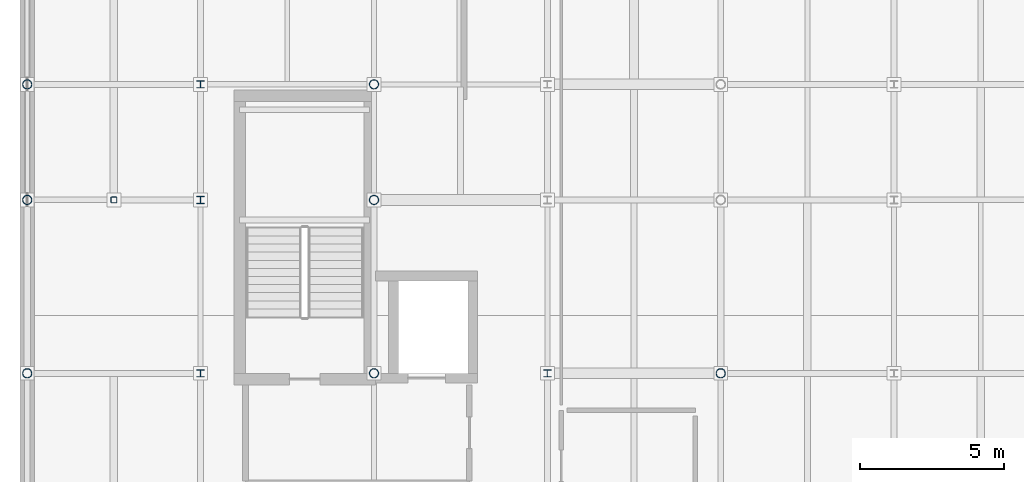
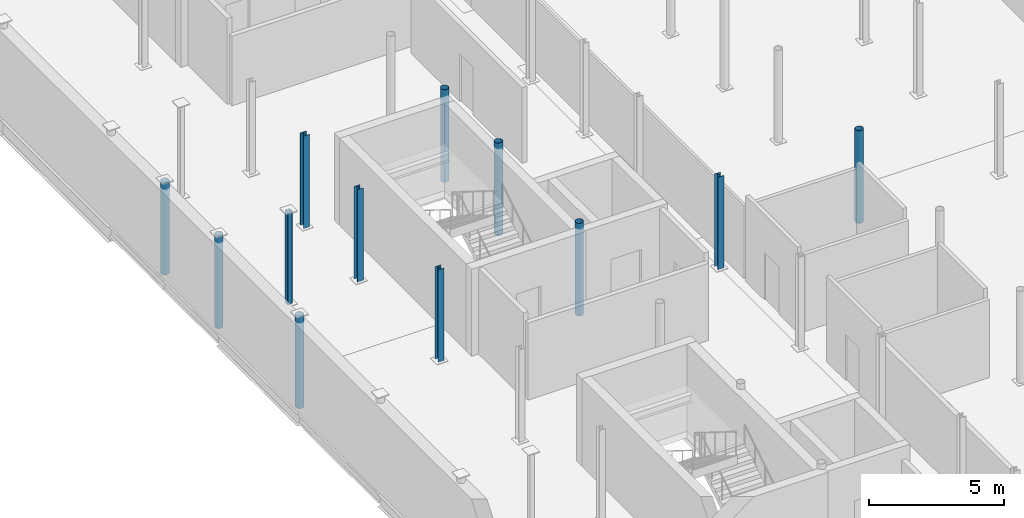
# One storey, part 5 of 30: 12 columns.
"""IFC4 building model written with IfcOpenShell, lengths in metres."""

from ifc_helpers import new_model, si_unit, direction, frame, origin, origin_2d, place, context, subcontext, project, spatial, hollow_rectangle, hollow_circle, i_section, extrude, material, material_profile, profile_set, type_object, element, save


model = new_model("IFC4")

# Units and contexts
model_context = context("Model", 3, precision=1e-05, world=origin(), true_north=direction((0.0, 1.0)))
body_context = subcontext(model_context, "Body", "Model", "MODEL_VIEW")
ifc_project = project(units=[si_unit("LENGTHUNIT", "METRE"), si_unit("AREAUNIT", "SQUARE_METRE"), si_unit("VOLUMEUNIT", "CUBIC_METRE"), si_unit("PLANEANGLEUNIT", "RADIAN"), si_unit("MASSUNIT", "GRAM", prefix="KILO")], contexts=[model_context])

# Site, building, storey
site_placement = place(None, origin())
site = spatial("IfcSite", under=ifc_project, at=site_placement, CompositionType="ELEMENT")
building_placement = place(site_placement, origin())
building = spatial("IfcBuilding", under=site, at=building_placement, Name="Verrall Gate Interchange", CompositionType="ELEMENT")
storey_placement = place(building_placement, frame((0.0, 0.0, 19.39990234375)))
storey = spatial("IfcBuildingStorey", under=building, at=storey_placement, Name="L05", CompositionType="ELEMENT", Elevation=19.39990234375)

# Columns
ifc_material_1 = material(Name="Structural Steel CSA G40.21 350W", Category="steel")
ifc_material_profile_1 = material_profile(ifc_material_1, i_section(OverallWidth=0.25390625, OverallDepth=0.2529296875, WebThickness=0.008544921875, FlangeThickness=0.01416015625, FilletRadius=0.011962890625, at=origin_2d()), Name="W250x73")
ifc_profile_set_1 = profile_set([ifc_material_profile_1], Name="Structural Steel CSA G40.21 350W")
column_type_1 = type_object("IfcColumnType", Name="C-11 Column W250x73", PredefinedType="COLUMN", material=ifc_profile_set_1)
for number, where, z_axis, x_axis, name in (
    (1, (6.0, 34.0, 0.0), (0.0, 0.0, 1.0), (1.0, 0.0, 0.0), "L05 Column COL-L05-0187 (C-11)"),
    (2, (6.0, 40.0, 0.0), (0.0, 0.0, 1.0), (1.0, 0.0, 0.0), "L05 Column COL-L05-0196 (C-11)"),
    (3, (6.0, 44.0, 0.0), (0.0, 0.0, 1.0), (1.0, 0.0, 0.0), "L05 Column COL-L05-0205 (C-11)"),
    (4, (18.0, 34.0, 0.0), (0.0, 0.0, 1.0), (1.0, 0.0, 0.0), "L05 Column COL-L05-0421 (C-11)"),
):
    element("IfcColumn", number, at=place(storey_placement, frame(where, z_axis=z_axis, x_axis=x_axis)), inside=storey, type_object=column_type_1, Name=name, PredefinedType="COLUMN", context=body_context, shape_type="SweptSolid", body=[
        extrude(i_section(OverallWidth=0.25390625, OverallDepth=0.2529296875, WebThickness=0.008544921875, FlangeThickness=0.01416015625, FilletRadius=0.011962890625, at=origin_2d()), origin(), (0.0, 0.0, 1.0), 4.2001953125),
    ])
ifc_material_2 = material(Name="Structural Steel CSA G40.21 350W", Category="steel")
ifc_material_profile_2 = material_profile(ifc_material_2, hollow_rectangle(XDim=0.202880859375, YDim=0.202880859375, WallThickness=0.009521484375, InnerFilletRadius=0.009521484375, OuterFilletRadius=0.01904296875, at=origin_2d()), Name="HSS203x203x9.5")
ifc_profile_set_2 = profile_set([ifc_material_profile_2], Name="Structural Steel CSA G40.21 350W")
column_type_2 = type_object("IfcColumnType", Name="C-14 Column HSS203x203x9.5", PredefinedType="COLUMN", material=ifc_profile_set_2)
column_placement = place(storey_placement, frame((3.0, 40.0, 0.0), z_axis=(0.0, 0.0, 1.0), x_axis=(1.0, 0.0, 0.0)))
element("IfcColumn", 5, at=column_placement, inside=storey, type_object=column_type_2, Name="L05 Column COL-L05-0121 (C-14)", PredefinedType="COLUMN", context=body_context, shape_type="SweptSolid", body=[
    extrude(hollow_rectangle(XDim=0.202880859375, YDim=0.202880859375, WallThickness=0.009521484375, InnerFilletRadius=0.009521484375, OuterFilletRadius=0.01904296875, at=origin_2d()), origin(), (0.0, 0.0, 1.0), 4.2001953125),
])
ifc_material_3 = material(Name="Structural Steel CSA G40.21 350WT Cat 4", Category="steel")
ifc_material_profile_3 = material_profile(ifc_material_3, hollow_circle(Radius=0.161865234375, WallThickness=0.0126953125, at=origin_2d()), Name="HSS324x13")
ifc_profile_set_3 = profile_set([ifc_material_profile_3], Name="Structural Steel CSA G40.21 350WT Cat 4")
column_type_3 = type_object("IfcColumnType", Name="C-15 Column HSS324x13", PredefinedType="COLUMN", material=ifc_profile_set_3)
for number, where, z_axis, x_axis, name in (
    (6, (0.0, 34.0, 0.0), (0.0, 0.0, 1.0), (1.0, 0.0, 0.0), "L05 Column COL-L05-0050 (C-15)"),
    (7, (0.0, 40.0, 0.0), (0.0, 0.0, 1.0), (1.0, 0.0, 0.0), "L05 Column COL-L05-0057 (C-15)"),
    (8, (0.0, 44.0, 0.0), (0.0, 0.0, 1.0), (1.0, 0.0, 0.0), "L05 Column COL-L05-0064 (C-15)"),
    (9, (12.0, 34.0, 0.0), (0.0, 0.0, 1.0), (1.0, 0.0, 0.0), "L05 Column COL-L05-0304 (C-15)"),
    (10, (12.0, 40.0, 0.0), (0.0, 0.0, 1.0), (1.0, 0.0, 0.0), "L05 Column COL-L05-0313 (C-15)"),
    (11, (12.0, 44.0, 0.0), (0.0, 0.0, 1.0), (1.0, 0.0, 0.0), "L05 Column COL-L05-0322 (C-15)"),
    (12, (24.0, 34.0, 0.0), (0.0, 0.0, 1.0), (1.0, 0.0, 0.0), "L05 Column COL-L05-0538 (C-15)"),
):
    element("IfcColumn", number, at=place(storey_placement, frame(where, z_axis=z_axis, x_axis=x_axis)), inside=storey, type_object=column_type_3, Name=name, PredefinedType="COLUMN", context=body_context, shape_type="SweptSolid", body=[
        extrude(hollow_circle(Radius=0.161865234375, WallThickness=0.0126953125, at=origin_2d()), origin(), (0.0, 0.0, 1.0), 4.2001953125),
    ])

save(model, "model.ifc")
